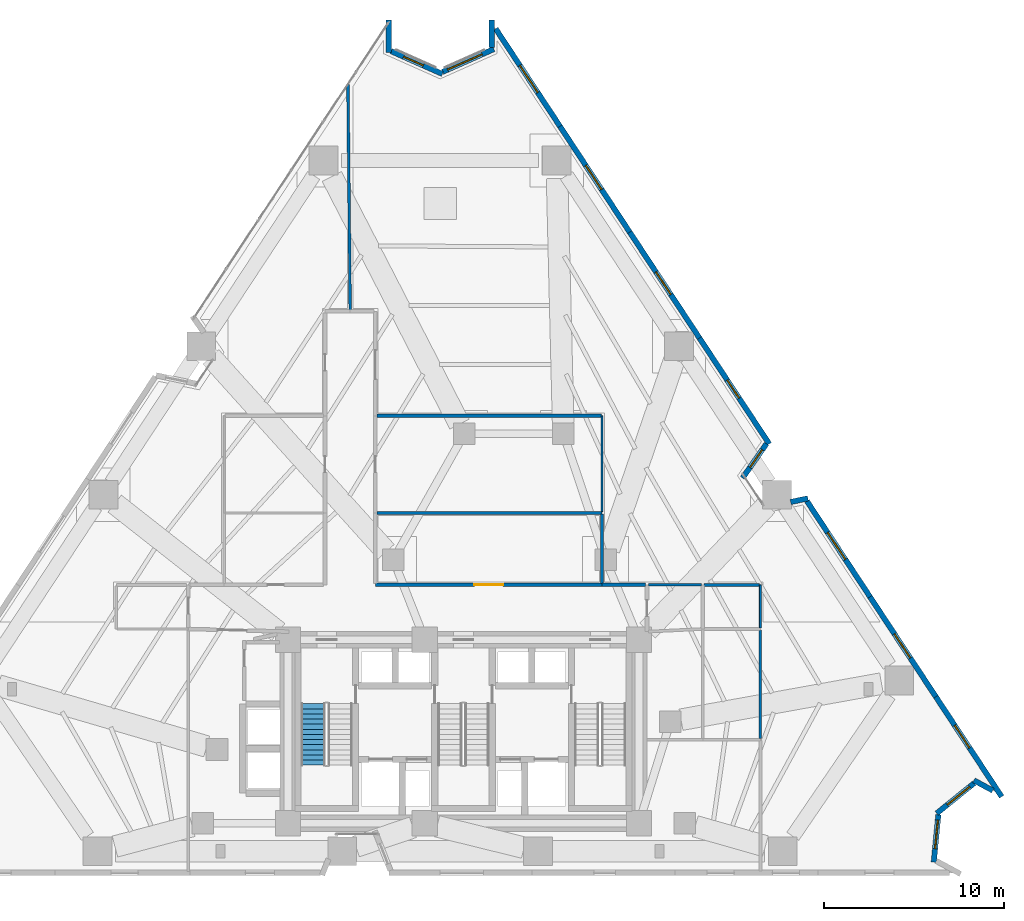
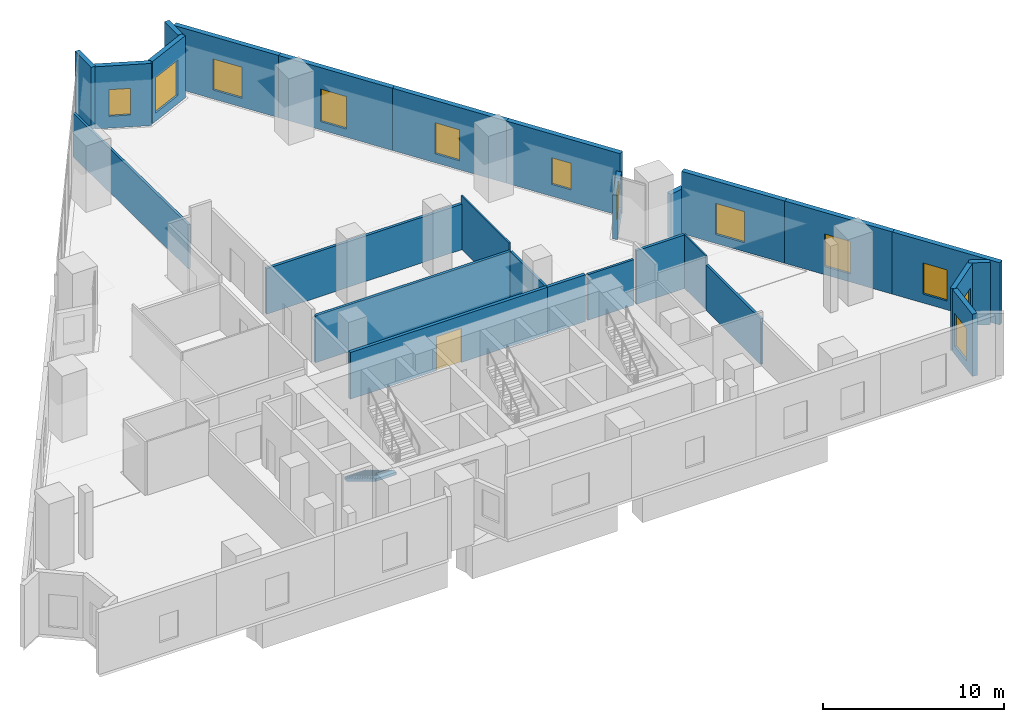
# One storey, part 10 of 15: 27 walls, 12 windows, 1 door, 1 stair flight, 13 openings, 1 element without a shape of its own.
"""IFC4 building model written with IfcOpenShell, lengths in metres."""

from ifc_helpers import new_model, si_unit, direction, frame, frame_2d, origin, place, context, subcontext, project, spatial, polyline, rectangle, outline, extrude, material, layer, layer_set, type_object, element, fill, aggregate, save


model = new_model("IFC4")

# Units and contexts
model_context = context("Model", 3, precision=1e-05, world=origin(), true_north=direction((0.0, 1.0)))
body_context = subcontext(model_context, "Body", "Model", "MODEL_VIEW")
ifc_project = project(units=[si_unit("LENGTHUNIT", "METRE"), si_unit("AREAUNIT", "SQUARE_METRE"), si_unit("VOLUMEUNIT", "CUBIC_METRE"), si_unit("PLANEANGLEUNIT", "RADIAN"), si_unit("MASSUNIT", "GRAM", prefix="KILO")], contexts=[model_context])

# Site, building, storey
site_placement = place(None, origin())
site = spatial("IfcSite", under=ifc_project, at=site_placement, CompositionType="ELEMENT")
building_placement = place(site_placement, origin())
building = spatial("IfcBuilding", under=site, at=building_placement, Name="Almagre Mirador Tower", CompositionType="ELEMENT")
storey_placement = place(building_placement, frame((0.0, 0.0, 8.39990234375)))
storey = spatial("IfcBuildingStorey", under=building, at=storey_placement, Name="L01", CompositionType="ELEMENT", Elevation=8.39990234375)

# Wall
ifc_material_1 = material(Name="Precast concrete C50/60", Category="concrete")
ifc_layer_1 = layer(ifc_material_1, 0.300048828125)
ifc_layer_set_1 = layer_set([ifc_layer_1], Name="Precast concrete C50/60")
wall_type_1 = type_object("IfcWallType", Name="WAL-EXT-300", PredefinedType="SOLIDWALL", material=ifc_layer_set_1)
wall_1_placement = place(storey_placement, frame((33.138916015625, 49.197998046875, 0.0), z_axis=(0.0, 0.0, 1.0), x_axis=(0.0, -1.0, 0.0)))
element("IfcWall", 1, at=wall_1_placement, inside=storey, type_object=wall_type_1, Name="L01 expressed almagre precast frame wall 03", PredefinedType="SOLIDWALL", context=body_context, shape_type="SweptSolid", body=[
    extrude(rectangle(XDim=1.81005859375, YDim=0.300048828125, at=frame_2d((0.905029296875, 0.0))), origin(), (0.0, 0.0, 1.0), 4.2001953125),
])

# Wall, opening, window
wall_2_placement = place(storey_placement, frame((33.26708984375, 47.47119140625, 0.0), z_axis=(0.0, 0.0, 1.0), x_axis=(0.913753658291, -0.40626869429, 0.0)))
wall_2 = element("IfcWall", 2, at=wall_2_placement, inside=storey, type_object=wall_type_1, Name="L01 expressed almagre precast frame wall 04", PredefinedType="SOLIDWALL", context=body_context, shape_type="SweptSolid", body=[
    extrude(rectangle(XDim=3.130859375, YDim=0.300048828125, at=frame_2d((1.5654296875, 0.0))), origin(), (0.0, 0.0, 1.0), 4.2001953125),
])
opening_1_placement = place(wall_2_placement, frame((0.77001953125, 0.0, 0.800048828125)))
opening_1 = element("IfcOpeningElement", 3, at=opening_1_placement, cuts=wall_2, Name="Opening WN-04", PredefinedType="OPENING", context=body_context, shape_type="SweptSolid", body=[
    extrude(rectangle(XDim=1.199951171875, YDim=1.800048828125, at=frame_2d((0.60009765625, 0.89990234375))), frame((0.0, 0.159902, 0.0), z_axis=(0.0, -1.0, 0.0), x_axis=(1.0, 0.0, 0.0)), (0.0, 0.0, 1.0), 0.320049),
])
ifc_material_2 = material(Name="Dark solar-control laminated hurricane glass", Category="glass")
window_type_1 = type_object("IfcWindowType", Name="WIN-1200X1800", PartitioningType="SINGLE_PANEL", PredefinedType="WINDOW", material=ifc_material_2)
window_1_placement = place(opening_1_placement, origin())
window_1 = element("IfcWindow", 4, at=window_1_placement, inside=storey, type_object=window_type_1, Name="L01 recessed hurricane window L01-GAL2-11", OverallHeight=1.800048828125, OverallWidth=1.199951171875, PartitioningType="SINGLE_PANEL", PredefinedType="WINDOW", context=body_context, shape_type="SweptSolid", body=[
    extrude(rectangle(XDim=1.199951171875, YDim=1.800048828125, at=frame_2d((0.60009765625, 0.89990234375))), frame((0.0, 0.030029296875, 0.0), z_axis=(0.0, -1.0, 0.0), x_axis=(1.0, 0.0, 0.0)), (0.0, 0.0, 1.0), 0.06005859375),
])
fill(opening_1, window_1)

wall_3_placement = place(storey_placement, frame((36.13720703125, 46.31689453125, 0.0), z_axis=(0.0, 0.0, 1.0), x_axis=(0.913740568099, 0.406298134638, 0.0)))
wall_3 = element("IfcWall", 5, at=wall_3_placement, inside=storey, type_object=wall_type_1, Name="L01 expressed almagre precast frame wall 05", PredefinedType="SOLIDWALL", context=body_context, shape_type="SweptSolid", body=[
    extrude(rectangle(XDim=3.12109375, YDim=0.300048828125, at=frame_2d((1.560546875, 0.0))), origin(), (0.0, 0.0, 1.0), 4.2001953125),
])
opening_2_placement = place(wall_3_placement, frame((0.31005859375, 0.0, 0.550048828125)))
opening_2 = element("IfcOpeningElement", 6, at=opening_2_placement, cuts=wall_3, Name="Opening WN-05", PredefinedType="OPENING", context=body_context, shape_type="SweptSolid", body=[
    extrude(rectangle(XDim=2.10009765625, YDim=2.39990234375, at=frame_2d((1.050048828125, 1.199951171875))), frame((0.0, 0.159902, 0.0), z_axis=(0.0, -1.0, 0.0), x_axis=(1.0, 0.0, 0.0)), (0.0, 0.0, 1.0), 0.320049),
])
ifc_material_3 = material(Name="Dark solar-control laminated hurricane glass", Category="glass")
window_type_2 = type_object("IfcWindowType", Name="WIN-2100X2400", PartitioningType="DOUBLE_PANEL_VERTICAL", PredefinedType="WINDOW", material=ifc_material_3)
window_2_placement = place(opening_2_placement, origin())
window_2 = element("IfcWindow", 7, at=window_2_placement, inside=storey, type_object=window_type_2, Name="L01 recessed hurricane window L01-GAL2-11", OverallHeight=2.39990234375, OverallWidth=2.10009765625, PartitioningType="SINGLE_PANEL", PredefinedType="WINDOW", context=body_context, shape_type="SweptSolid", body=[
    extrude(rectangle(XDim=2.10009765625, YDim=2.39990234375, at=frame_2d((1.050048828125, 1.199951171875))), frame((0.0, 0.030029296875, 0.0), z_axis=(0.0, -1.0, 0.0), x_axis=(1.0, 0.0, 0.0)), (0.0, 0.0, 1.0), 0.06005859375),
])
fill(opening_2, window_2)

# Wall
wall_4_placement = place(storey_placement, frame((38.861083984375, 47.673095703125, 0.0), z_axis=(0.0, 0.0, 1.0), x_axis=(0.0, 1.0, 0.0)))
element("IfcWall", 8, at=wall_4_placement, inside=storey, type_object=wall_type_1, Name="L01 expressed almagre precast frame wall 06", PredefinedType="SOLIDWALL", context=body_context, shape_type="SweptSolid", body=[
    extrude(rectangle(XDim=1.52490234375, YDim=0.300048828125, at=frame_2d((0.762451171875, 0.0))), origin(), (0.0, 0.0, 1.0), 4.2001953125),
])

# Wall, opening, window
wall_5_placement = place(storey_placement, frame((39.08935546875, 48.71142578125, 0.0), z_axis=(0.0, 0.0, 1.0), x_axis=(0.550231731476, -0.835012000918, 0.0)))
wall_5 = element("IfcWall", 9, at=wall_5_placement, inside=storey, type_object=wall_type_1, Name="L01 expressed almagre precast frame wall 07", PredefinedType="SOLIDWALL", context=body_context, shape_type="SweptSolid", body=[
    extrude(rectangle(XDim=6.4921875, YDim=0.300048828125, at=frame_2d((3.24609375, 0.0))), origin(), (0.0, 0.0, 1.0), 4.2001953125),
])
opening_3_placement = place(wall_5_placement, frame((2.445068359375, 0.0, 0.60009765625)))
opening_3 = element("IfcOpeningElement", 10, at=opening_3_placement, cuts=wall_5, Name="Opening WN-01", PredefinedType="OPENING", context=body_context, shape_type="SweptSolid", body=[
    extrude(rectangle(XDim=1.800048828125, YDim=2.10009765625, at=frame_2d((0.89990234375, 1.050048828125))), frame((0.0, 0.159902, 0.0), z_axis=(0.0, -1.0, 0.0), x_axis=(1.0, 0.0, 0.0)), (0.0, 0.0, 1.0), 0.320049),
])
ifc_material_4 = material(Name="Dark solar-control laminated hurricane glass", Category="glass")
window_type_3 = type_object("IfcWindowType", Name="WIN-1800X2100", PartitioningType="DOUBLE_PANEL_VERTICAL", PredefinedType="WINDOW", material=ifc_material_4)
window_3_placement = place(opening_3_placement, origin())
window_3 = element("IfcWindow", 11, at=window_3_placement, inside=storey, type_object=window_type_3, Name="L01 recessed hurricane window L01-GAL2-11", OverallHeight=2.10009765625, OverallWidth=1.800048828125, PartitioningType="SINGLE_PANEL", PredefinedType="WINDOW", context=body_context, shape_type="SweptSolid", body=[
    extrude(rectangle(XDim=1.800048828125, YDim=2.10009765625, at=frame_2d((0.89990234375, 1.050048828125))), frame((0.0, 0.030029296875, 0.0), z_axis=(0.0, -1.0, 0.0), x_axis=(1.0, 0.0, 0.0)), (0.0, 0.0, 1.0), 0.06005859375),
])
fill(opening_3, window_3)

wall_6_placement = place(storey_placement, frame((42.66162109375, 43.290283203125, 0.0), z_axis=(0.0, 0.0, 1.0), x_axis=(0.550199186231, -0.83503344572, 0.0)))
wall_6 = element("IfcWall", 12, at=wall_6_placement, inside=storey, type_object=wall_type_1, Name="L01 expressed almagre precast frame wall 08", PredefinedType="SOLIDWALL", context=body_context, shape_type="SweptSolid", body=[
    extrude(rectangle(XDim=7.04736328125, YDim=0.300048828125, at=frame_2d((3.523681640625, 0.0))), origin(), (0.0, 0.0, 1.0), 4.2001953125),
])
opening_4_placement = place(wall_6_placement, frame((2.60009765625, 0.0, 0.550048828125)))
opening_4 = element("IfcOpeningElement", 13, at=opening_4_placement, cuts=wall_6, Name="Opening WN-06", PredefinedType="OPENING", context=body_context, shape_type="SweptSolid", body=[
    extrude(rectangle(XDim=1.60009765625, YDim=2.199951171875, at=frame_2d((0.800048828125, 1.10009765625))), frame((0.0, 0.159902, 0.0), z_axis=(0.0, -1.0, 0.0), x_axis=(1.0, 0.0, 0.0)), (0.0, 0.0, 1.0), 0.320049),
])
ifc_material_5 = material(Name="Dark solar-control laminated hurricane glass", Category="glass")
window_type_4 = type_object("IfcWindowType", Name="WIN-1600X2200", PartitioningType="DOUBLE_PANEL_VERTICAL", PredefinedType="WINDOW", material=ifc_material_5)
window_4_placement = place(opening_4_placement, origin())
window_4 = element("IfcWindow", 14, at=window_4_placement, inside=storey, type_object=window_type_4, Name="L01 recessed hurricane window L01-GAL2-11", OverallHeight=2.199951171875, OverallWidth=1.60009765625, PartitioningType="SINGLE_PANEL", PredefinedType="WINDOW", context=body_context, shape_type="SweptSolid", body=[
    extrude(rectangle(XDim=1.60009765625, YDim=2.199951171875, at=frame_2d((0.800048828125, 1.10009765625))), frame((0.0, 0.030029296875, 0.0), z_axis=(0.0, -1.0, 0.0), x_axis=(1.0, 0.0, 0.0)), (0.0, 0.0, 1.0), 0.06005859375),
])
fill(opening_4, window_4)

wall_7_placement = place(storey_placement, frame((46.5390625, 37.405517578125, 0.0), z_axis=(0.0, 0.0, 1.0), x_axis=(0.550199186231, -0.83503344572, 0.0)))
wall_7 = element("IfcWall", 15, at=wall_7_placement, inside=storey, type_object=wall_type_1, Name="L01 expressed almagre precast frame wall 09", PredefinedType="SOLIDWALL", context=body_context, shape_type="SweptSolid", body=[
    extrude(rectangle(XDim=7.04736328125, YDim=0.300048828125, at=frame_2d((3.523681640625, 0.0))), origin(), (0.0, 0.0, 1.0), 4.2001953125),
])
opening_5_placement = place(wall_7_placement, frame((2.64990234375, 0.0, 0.60009765625)))
opening_5 = element("IfcOpeningElement", 16, at=opening_5_placement, cuts=wall_7, Name="Opening WN-03", PredefinedType="OPENING", context=body_context, shape_type="SweptSolid", body=[
    extrude(rectangle(XDim=1.5, YDim=2.10009765625, at=frame_2d((0.75, 1.050048828125))), frame((0.0, 0.159902, 0.0), z_axis=(0.0, -1.0, 0.0), x_axis=(1.0, 0.0, 0.0)), (0.0, 0.0, 1.0), 0.320049),
])
ifc_material_6 = material(Name="Dark solar-control laminated hurricane glass", Category="glass")
window_type_5 = type_object("IfcWindowType", Name="WIN-1500X2100", PartitioningType="DOUBLE_PANEL_VERTICAL", PredefinedType="WINDOW", material=ifc_material_6)
window_5_placement = place(opening_5_placement, origin())
window_5 = element("IfcWindow", 17, at=window_5_placement, inside=storey, type_object=window_type_5, Name="L01 recessed hurricane window L01-GAL2-11", OverallHeight=2.10009765625, OverallWidth=1.5, PartitioningType="SINGLE_PANEL", PredefinedType="WINDOW", context=body_context, shape_type="SweptSolid", body=[
    extrude(rectangle(XDim=1.5, YDim=2.10009765625, at=frame_2d((0.75, 1.050048828125))), frame((0.0, 0.030029296875, 0.0), z_axis=(0.0, -1.0, 0.0), x_axis=(1.0, 0.0, 0.0)), (0.0, 0.0, 1.0), 0.06005859375),
])
fill(opening_5, window_5)

wall_8_placement = place(storey_placement, frame((50.41650390625, 31.520751953125, 0.0), z_axis=(0.0, 0.0, 1.0), x_axis=(0.550199186231, -0.83503344572, 0.0)))
wall_8 = element("IfcWall", 18, at=wall_8_placement, inside=storey, type_object=wall_type_1, Name="L01 expressed almagre precast frame wall 10", PredefinedType="SOLIDWALL", context=body_context, shape_type="SweptSolid", body=[
    extrude(rectangle(XDim=7.04736328125, YDim=0.300048828125, at=frame_2d((3.523681640625, 0.0))), origin(), (0.0, 0.0, 1.0), 4.2001953125),
])
opening_6_placement = place(wall_8_placement, frame((2.800048828125, 0.0, 0.800048828125)))
opening_6 = element("IfcOpeningElement", 19, at=opening_6_placement, cuts=wall_8, Name="Opening WN-04", PredefinedType="OPENING", context=body_context, shape_type="SweptSolid", body=[
    extrude(rectangle(XDim=1.199951171875, YDim=1.800048828125, at=frame_2d((0.60009765625, 0.89990234375))), frame((0.0, 0.159902, 0.0), z_axis=(0.0, -1.0, 0.0), x_axis=(1.0, 0.0, 0.0)), (0.0, 0.0, 1.0), 0.320049),
])
window_6_placement = place(opening_6_placement, origin())
window_6 = element("IfcWindow", 20, at=window_6_placement, inside=storey, type_object=window_type_1, Name="L01 recessed hurricane window L01-GAL2-11", OverallHeight=1.800048828125, OverallWidth=1.199951171875, PartitioningType="SINGLE_PANEL", PredefinedType="WINDOW", context=body_context, shape_type="SweptSolid", body=[
    extrude(rectangle(XDim=1.199951171875, YDim=1.800048828125, at=frame_2d((0.60009765625, 0.89990234375))), frame((0.0, 0.030029296875, 0.0), z_axis=(0.0, -1.0, 0.0), x_axis=(1.0, 0.0, 0.0)), (0.0, 0.0, 1.0), 0.06005859375),
])
fill(opening_6, window_6)

wall_9_placement = place(storey_placement, frame((54.1396484375, 25.642333984375, 0.0), z_axis=(0.0, 0.0, 1.0), x_axis=(-0.572621210635, -0.819820071193, 0.0)))
wall_9 = element("IfcWall", 21, at=wall_9_placement, inside=storey, type_object=wall_type_1, Name="L01 expressed almagre precast frame wall 11", PredefinedType="SOLIDWALL", context=body_context, shape_type="SweptSolid", body=[
    extrude(rectangle(XDim=2.31884765625, YDim=0.300048828125, at=frame_2d((1.159423828125, 0.0))), origin(), (0.0, 0.0, 1.0), 2.97509765625),
])
opening_7_placement = place(wall_9_placement, frame((0.39990234375, 0.0, 0.800048828125)))
opening_7 = element("IfcOpeningElement", 22, at=opening_7_placement, cuts=wall_9, Name="Opening WN-04", PredefinedType="OPENING", context=body_context, shape_type="SweptSolid", body=[
    extrude(rectangle(XDim=1.199951171875, YDim=1.800048828125, at=frame_2d((0.60009765625, 0.89990234375))), frame((0.0, 0.159902, 0.0), z_axis=(0.0, -1.0, 0.0), x_axis=(1.0, 0.0, 0.0)), (0.0, 0.0, 1.0), 0.320049),
])
window_7_placement = place(opening_7_placement, origin())
window_7 = element("IfcWindow", 23, at=window_7_placement, inside=storey, type_object=window_type_1, Name="L01 recessed hurricane window L01-GAL2-11", OverallHeight=1.800048828125, OverallWidth=1.199951171875, PartitioningType="SINGLE_PANEL", PredefinedType="WINDOW", context=body_context, shape_type="SweptSolid", body=[
    extrude(rectangle(XDim=1.199951171875, YDim=1.800048828125, at=frame_2d((0.60009765625, 0.89990234375))), frame((0.0, 0.030029296875, 0.0), z_axis=(0.0, -1.0, 0.0), x_axis=(1.0, 0.0, 0.0)), (0.0, 0.0, 1.0), 0.06005859375),
])
fill(opening_7, window_7)

# Wall
wall_10_placement = place(storey_placement, frame((55.47998046875, 22.40869140625, 0.0), z_axis=(0.0, 0.0, 1.0), x_axis=(0.979253639734, 0.202638370175, 0.0)))
element("IfcWall", 24, at=wall_10_placement, inside=storey, type_object=wall_type_1, Name="L01 expressed almagre precast frame wall 12", PredefinedType="SOLIDWALL", context=body_context, shape_type="SweptSolid", body=[
    extrude(rectangle(XDim=0.985595703125, YDim=0.300048828125, at=frame_2d((0.49267578125, 0.0))), origin(), (0.0, 0.0, 1.0), 2.97509765625),
])

# Wall, opening, window
wall_11_placement = place(storey_placement, frame((56.385009765625, 22.463134765625, 0.0), z_axis=(0.0, 0.0, 1.0), x_axis=(0.550193822167, -0.835036980049, 0.0)))
wall_11 = element("IfcWall", 25, at=wall_11_placement, inside=storey, type_object=wall_type_1, Name="L01 expressed almagre precast frame wall 13", PredefinedType="SOLIDWALL", context=body_context, shape_type="SweptSolid", body=[
    extrude(rectangle(XDim=6.375244140625, YDim=0.300048828125, at=frame_2d((3.1875, 0.0))), origin(), (0.0, 0.0, 1.0), 4.2001953125),
])
opening_8_placement = place(wall_11_placement, frame((2.094970703125, 0.0, 0.60009765625)))
opening_8 = element("IfcOpeningElement", 26, at=opening_8_placement, cuts=wall_11, Name="Opening WN-01", PredefinedType="OPENING", context=body_context, shape_type="SweptSolid", body=[
    extrude(rectangle(XDim=1.800048828125, YDim=2.10009765625, at=frame_2d((0.89990234375, 1.050048828125))), frame((0.0, 0.159902, 0.0), z_axis=(0.0, -1.0, 0.0), x_axis=(1.0, 0.0, 0.0)), (0.0, 0.0, 1.0), 0.320049),
])
window_8_placement = place(opening_8_placement, origin())
window_8 = element("IfcWindow", 27, at=window_8_placement, inside=storey, type_object=window_type_3, Name="L01 recessed hurricane window L01-GAL2-11", OverallHeight=2.10009765625, OverallWidth=1.800048828125, PartitioningType="SINGLE_PANEL", PredefinedType="WINDOW", context=body_context, shape_type="SweptSolid", body=[
    extrude(rectangle(XDim=1.800048828125, YDim=2.10009765625, at=frame_2d((0.89990234375, 1.050048828125))), frame((0.0, 0.030029296875, 0.0), z_axis=(0.0, -1.0, 0.0), x_axis=(1.0, 0.0, 0.0)), (0.0, 0.0, 1.0), 0.06005859375),
])
fill(opening_8, window_8)

wall_12_placement = place(storey_placement, frame((59.892578125, 17.1396484375, 0.0), z_axis=(0.0, 0.0, 1.0), x_axis=(0.550205243724, -0.835029454438, 0.0)))
wall_12 = element("IfcWall", 28, at=wall_12_placement, inside=storey, type_object=wall_type_1, Name="L01 expressed almagre precast frame wall 14", PredefinedType="SOLIDWALL", context=body_context, shape_type="SweptSolid", body=[
    extrude(rectangle(XDim=6.655029296875, YDim=0.300048828125, at=frame_2d((3.32763671875, 0.0))), origin(), (0.0, 0.0, 1.0), 4.2001953125),
])
opening_9_placement = place(wall_12_placement, frame((2.47509765625, 0.0, 0.550048828125)))
opening_9 = element("IfcOpeningElement", 29, at=opening_9_placement, cuts=wall_12, Name="Opening WN-06", PredefinedType="OPENING", context=body_context, shape_type="SweptSolid", body=[
    extrude(rectangle(XDim=1.60009765625, YDim=2.199951171875, at=frame_2d((0.800048828125, 1.10009765625))), frame((0.0, 0.159902, 0.0), z_axis=(0.0, -1.0, 0.0), x_axis=(1.0, 0.0, 0.0)), (0.0, 0.0, 1.0), 0.320049),
])
window_9_placement = place(opening_9_placement, origin())
window_9 = element("IfcWindow", 30, at=window_9_placement, inside=storey, type_object=window_type_4, Name="L01 recessed hurricane window L01-GAL2-11", OverallHeight=2.199951171875, OverallWidth=1.60009765625, PartitioningType="SINGLE_PANEL", PredefinedType="WINDOW", context=body_context, shape_type="SweptSolid", body=[
    extrude(rectangle(XDim=1.60009765625, YDim=2.199951171875, at=frame_2d((0.800048828125, 1.10009765625))), frame((0.0, 0.030029296875, 0.0), z_axis=(0.0, -1.0, 0.0), x_axis=(1.0, 0.0, 0.0)), (0.0, 0.0, 1.0), 0.06005859375),
])
fill(opening_9, window_9)

wall_13_placement = place(storey_placement, frame((63.55419921875, 11.58251953125, 0.0), z_axis=(0.0, 0.0, 1.0), x_axis=(0.550213968344, -0.835023705675, 0.0)))
wall_13 = element("IfcWall", 31, at=wall_13_placement, inside=storey, type_object=wall_type_1, Name="L01 expressed almagre precast frame wall 15", PredefinedType="SOLIDWALL", context=body_context, shape_type="SweptSolid", body=[
    extrude(rectangle(XDim=6.6552734375, YDim=0.300048828125, at=frame_2d((3.32763671875, 0.0))), origin(), (0.0, 0.0, 1.0), 4.2001953125),
])
opening_10_placement = place(wall_13_placement, frame((1.89990234375, 0.0, 0.60009765625)))
opening_10 = element("IfcOpeningElement", 32, at=opening_10_placement, cuts=wall_13, Name="Opening WN-03", PredefinedType="OPENING", context=body_context, shape_type="SweptSolid", body=[
    extrude(rectangle(XDim=1.5, YDim=2.10009765625, at=frame_2d((0.75, 1.050048828125))), frame((0.0, 0.159902, 0.0), z_axis=(0.0, -1.0, 0.0), x_axis=(1.0, 0.0, 0.0)), (0.0, 0.0, 1.0), 0.320049),
])
window_10_placement = place(opening_10_placement, origin())
window_10 = element("IfcWindow", 33, at=window_10_placement, inside=storey, type_object=window_type_5, Name="L01 recessed hurricane window L01-GAL2-11", OverallHeight=2.10009765625, OverallWidth=1.5, PartitioningType="SINGLE_PANEL", PredefinedType="WINDOW", context=body_context, shape_type="SweptSolid", body=[
    extrude(rectangle(XDim=1.5, YDim=2.10009765625, at=frame_2d((0.75, 1.050048828125))), frame((0.0, 0.030029296875, 0.0), z_axis=(0.0, -1.0, 0.0), x_axis=(1.0, 0.0, 0.0)), (0.0, 0.0, 1.0), 0.06005859375),
])
fill(opening_10, window_10)

# Wall
wall_14_placement = place(storey_placement, frame((66.720703125, 6.367431640625, 0.0), z_axis=(0.0, 0.0, 1.0), x_axis=(-0.880320174686, 0.474380005946, 0.0)))
element("IfcWall", 34, at=wall_14_placement, inside=storey, type_object=wall_type_1, Name="L01 expressed almagre precast frame wall 16", PredefinedType="SOLIDWALL", context=body_context, shape_type="SweptSolid", body=[
    extrude(rectangle(XDim=1.195068359375, YDim=0.300048828125, at=frame_2d((0.59765625, 0.0))), origin(), (0.0, 0.0, 1.0), 4.2001953125),
])

# Wall, opening, window
wall_15_placement = place(storey_placement, frame((65.68310546875, 6.780029296875, 0.0), z_axis=(0.0, 0.0, 1.0), x_axis=(-0.778253340515, -0.62795042637, 0.0)))
wall_15 = element("IfcWall", 35, at=wall_15_placement, inside=storey, type_object=wall_type_1, Name="L01 expressed almagre precast frame wall 17", PredefinedType="SOLIDWALL", context=body_context, shape_type="SweptSolid", body=[
    extrude(rectangle(XDim=2.67529296875, YDim=0.300048828125, at=frame_2d((1.337646484375, 0.0))), origin(), (0.0, 0.0, 1.0), 4.2001953125),
])
opening_11_placement = place(wall_15_placement, frame((0.320068359375, 0.0, 0.550048828125)))
opening_11 = element("IfcOpeningElement", 36, at=opening_11_placement, cuts=wall_15, Name="Opening WN-06", PredefinedType="OPENING", context=body_context, shape_type="SweptSolid", body=[
    extrude(rectangle(XDim=1.60009765625, YDim=2.199951171875, at=frame_2d((0.800048828125, 1.10009765625))), frame((0.0, 0.159902, 0.0), z_axis=(0.0, -1.0, 0.0), x_axis=(1.0, 0.0, 0.0)), (0.0, 0.0, 1.0), 0.320049),
])
window_11_placement = place(opening_11_placement, origin())
window_11 = element("IfcWindow", 37, at=window_11_placement, inside=storey, type_object=window_type_4, Name="L01 recessed hurricane window L01-GAL2-11", OverallHeight=2.199951171875, OverallWidth=1.60009765625, PartitioningType="SINGLE_PANEL", PredefinedType="WINDOW", context=body_context, shape_type="SweptSolid", body=[
    extrude(rectangle(XDim=1.60009765625, YDim=2.199951171875, at=frame_2d((0.800048828125, 1.10009765625))), frame((0.0, 0.030029296875, 0.0), z_axis=(0.0, -1.0, 0.0), x_axis=(1.0, 0.0, 0.0)), (0.0, 0.0, 1.0), 0.06005859375),
])
fill(opening_11, window_11)

wall_16_placement = place(storey_placement, frame((63.695068359375, 5.03369140625, 0.0), z_axis=(0.0, 0.0, 1.0), x_axis=(-0.096121744624, -0.995369584732, 0.0)))
wall_16 = element("IfcWall", 38, at=wall_16_placement, inside=storey, type_object=wall_type_1, Name="L01 expressed almagre precast frame wall 18", PredefinedType="SOLIDWALL", context=body_context, shape_type="SweptSolid", body=[
    extrude(rectangle(XDim=2.6591796875, YDim=0.300048828125, at=frame_2d((1.32958984375, 0.0))), origin(), (0.0, 0.0, 1.0), 4.2001953125),
])
opening_12_placement = place(wall_16_placement, frame((0.304931640625, 0.0, 0.550048828125)))
opening_12 = element("IfcOpeningElement", 39, at=opening_12_placement, cuts=wall_16, Name="Opening WN-06", PredefinedType="OPENING", context=body_context, shape_type="SweptSolid", body=[
    extrude(rectangle(XDim=1.60009765625, YDim=2.199951171875, at=frame_2d((0.800048828125, 1.10009765625))), frame((0.0, 0.159902, 0.0), z_axis=(0.0, -1.0, 0.0), x_axis=(1.0, 0.0, 0.0)), (0.0, 0.0, 1.0), 0.320049),
])
window_12_placement = place(opening_12_placement, origin())
window_12 = element("IfcWindow", 40, at=window_12_placement, inside=storey, type_object=window_type_4, Name="L01 recessed hurricane window L01-GAL2-11", OverallHeight=2.199951171875, OverallWidth=1.60009765625, PartitioningType="SINGLE_PANEL", PredefinedType="WINDOW", context=body_context, shape_type="SweptSolid", body=[
    extrude(rectangle(XDim=1.60009765625, YDim=2.199951171875, at=frame_2d((0.800048828125, 1.10009765625))), frame((0.0, 0.030029296875, 0.0), z_axis=(0.0, -1.0, 0.0), x_axis=(1.0, 0.0, 0.0)), (0.0, 0.0, 1.0), 0.06005859375),
])
fill(opening_12, window_12)

# Walls
ifc_material_7 = material(Name="Gypsum acoustic stud partition", Category="other")
ifc_layer_2 = layer(ifc_material_7, 0.10009765625)
ifc_layer_set_2 = layer_set([ifc_layer_2], Name="Gypsum acoustic stud partition")
wall_type_2 = type_object("IfcWallType", Name="WAL-PRT-100-CLS", PredefinedType="PARTITIONING", material=ifc_layer_set_2)
wall_17_placement = place(storey_placement, frame((53.800048828125, 15.409912109375, 0.0), z_axis=(0.0, 0.0, 1.0), x_axis=(0.0, 1.0, 0.0)))
element("IfcWall", 41, at=wall_17_placement, inside=storey, type_object=wall_type_2, Name="L01 interior partition 029", PredefinedType="PARTITIONING", context=body_context, shape_type="SweptSolid", body=[
    extrude(rectangle(XDim=2.39013671875, YDim=0.10009765625, at=frame_2d((1.195068359375, 0.0))), origin(), (0.0, 0.0, 1.0), 3.62109375),
])
wall_18_placement = place(storey_placement, frame((45.0, 21.87255859375, 0.0), z_axis=(0.0, 0.0, 1.0), x_axis=(0.0, 1.0, 0.0)))
element("IfcWall", 42, at=wall_18_placement, inside=storey, type_object=wall_type_2, Name="L01 interior partition 038", PredefinedType="PARTITIONING", context=body_context, shape_type="SweptSolid", body=[
    extrude(rectangle(XDim=5.327392578125, YDim=0.10009765625, at=frame_2d((2.66357421875, 0.0))), origin(), (0.0, 0.0, 1.0), 3.62109375),
])
ifc_material_8 = material(Name="Gypsum acoustic stud partition", Category="other")
ifc_layer_3 = layer(ifc_material_8, 0.14990234375)
ifc_layer_set_3 = layer_set([ifc_layer_3], Name="Gypsum acoustic stud partition")
wall_type_3 = type_object("IfcWallType", Name="WAL-PRT-150-STD", PredefinedType="PARTITIONING", material=ifc_layer_set_3)
wall_19_placement = place(storey_placement, frame((53.800048828125, 9.260009765625, 0.0), z_axis=(0.0, 0.0, 1.0), x_axis=(0.0, 1.0, 0.0)))
element("IfcWall", 43, at=wall_19_placement, inside=storey, type_object=wall_type_3, Name="L01 interior partition 023", PredefinedType="PARTITIONING", context=body_context, shape_type="SweptSolid", body=[
    extrude(rectangle(XDim=6.030029296875, YDim=0.14990234375, at=frame_2d((3.01513671875, 0.0))), origin(), (0.0, 0.0, 1.0), 3.078125),
])
wall_20_placement = place(storey_placement, frame((50.527587890625, 17.800048828125, 0.0), z_axis=(0.0, 0.0, 1.0), x_axis=(-1.0, 0.0, 0.0)))
element("IfcWall", 44, at=wall_20_placement, inside=storey, type_object=wall_type_3, Name="L01 interior partition 028", PredefinedType="PARTITIONING", context=body_context, shape_type="SweptSolid", body=[
    extrude(rectangle(XDim=2.942626953125, YDim=0.14990234375, at=frame_2d((1.47119140625, 0.0))), origin(), (0.0, 0.0, 1.0), 3.078125),
])
wall_21_placement = place(storey_placement, frame((30.999267578125, 33.0849609375, 0.0), z_axis=(0.0, 0.0, 1.0), x_axis=(-0.009911493182, 0.999950879945, 0.0)))
element("IfcWall", 45, at=wall_21_placement, inside=storey, type_object=wall_type_3, Name="L01 interior partition 034", PredefinedType="PARTITIONING", context=body_context, shape_type="SweptSolid", body=[
    extrude(rectangle(XDim=12.537841796875, YDim=0.14990234375, at=frame_2d((6.26904296875, 0.0))), origin(), (0.0, 0.0, 1.0), 2.97021484375),
])
wall_22_placement = place(storey_placement, frame((45.0, 17.885009765625, 0.0), z_axis=(0.0, 0.0, 1.0), x_axis=(0.0, 1.0, 0.0)))
element("IfcWall", 46, at=wall_22_placement, inside=storey, type_object=wall_type_3, Name="L01 interior partition 037", PredefinedType="PARTITIONING", context=body_context, shape_type="SweptSolid", body=[
    extrude(rectangle(XDim=3.842529296875, YDim=0.14990234375, at=frame_2d((1.92138671875, 0.0))), origin(), (0.0, 0.0, 1.0), 3.1591796875),
])
ifc_material_9 = material(Name="Gypsum acoustic stud partition", Category="other")
ifc_layer_4 = layer(ifc_material_9, 0.175048828125)
ifc_layer_set_4 = layer_set([ifc_layer_4], Name="Gypsum acoustic stud partition")
wall_type_4 = type_object("IfcWallType", Name="WAL-PRT-175-AC", PredefinedType="PARTITIONING", material=ifc_layer_set_4)
wall_23_placement = place(storey_placement, frame((53.764892578125, 17.800048828125, 0.0), z_axis=(0.0, 0.0, 1.0), x_axis=(-1.0, 0.0, 0.0)))
element("IfcWall", 47, at=wall_23_placement, inside=storey, type_object=wall_type_4, Name="L01 interior partition 030", PredefinedType="PARTITIONING", context=body_context, shape_type="SweptSolid", body=[
    extrude(rectangle(XDim=3.09228515625, YDim=0.175048828125, at=frame_2d((1.546142578125, 0.0))), origin(), (0.0, 0.0, 1.0), 3.62109375),
])
wall_24_placement = place(storey_placement, frame((45.0, 21.800048828125, 0.0), z_axis=(0.0, 0.0, 1.0), x_axis=(-1.0, 0.0, 0.0)))
element("IfcWall", 48, at=wall_24_placement, inside=storey, type_object=wall_type_4, Name="L01 interior partition 036", PredefinedType="PARTITIONING", context=body_context, shape_type="SweptSolid", body=[
    extrude(rectangle(XDim=12.514892578125, YDim=0.175048828125, at=frame_2d((6.25732421875, 0.0))), origin(), (0.0, 0.0, 1.0), 3.1591796875),
])
wall_25_placement = place(storey_placement, frame((44.965087890625, 27.199951171875, 0.0), z_axis=(0.0, 0.0, 1.0), x_axis=(-1.0, 0.0, 0.0)))
element("IfcWall", 49, at=wall_25_placement, inside=storey, type_object=wall_type_4, Name="L01 interior partition 039", PredefinedType="PARTITIONING", context=body_context, shape_type="SweptSolid", body=[
    extrude(rectangle(XDim=12.47998046875, YDim=0.175048828125, at=frame_2d((6.239990234375, 0.0))), origin(), (0.0, 0.0, 1.0), 3.078125),
])

# Wall, opening, door
ifc_material_10 = material(Name="Gypsum acoustic stud partition", Category="other")
ifc_layer_5 = layer(ifc_material_10, 0.199951171875)
ifc_layer_set_5 = layer_set([ifc_layer_5], Name="Gypsum acoustic stud partition")
wall_type_5 = type_object("IfcWallType", Name="WAL-PRT-200-EI60", PredefinedType="PARTITIONING", material=ifc_layer_set_5)
wall_26_placement = place(storey_placement, frame((45.0, 17.800048828125, 0.0), z_axis=(0.0, 0.0, 1.0), x_axis=(-1.0, 0.0, 0.0)))
wall_26 = element("IfcWall", 50, at=wall_26_placement, inside=storey, type_object=wall_type_5, Name="L01 interior partition 009", PredefinedType="PARTITIONING", context=body_context, shape_type="SweptSolid", body=[
    extrude(rectangle(XDim=12.60009765625, YDim=0.199951171875, at=frame_2d((6.300048828125, 0.0))), origin(), (0.0, 0.0, 1.0), 3.1591796875),
])
opening_13_placement = place(wall_26_placement, frame((5.5, 0.0, 0.0)))
opening_13 = element("IfcOpeningElement", 51, at=opening_13_placement, cuts=wall_26, Name="Opening ID-05", PredefinedType="OPENING", context=body_context, shape_type="SweptSolid", body=[
    extrude(rectangle(XDim=1.60009765625, YDim=2.300048828125, at=frame_2d((0.800048828125, 1.14990234375))), frame((0.0, 0.110098, 0.0), z_axis=(0.0, -1.0, 0.0), x_axis=(1.0, 0.0, 0.0)), (0.0, 0.0, 1.0), 0.219951),
])
ifc_material_11 = material(Name="Fire-rated acoustic timber", Category="wood")
door_type = type_object("IfcDoorType", Name="DOR-FD60-1600X2300", OperationType="DOUBLE_DOOR_SINGLE_SWING", PredefinedType="DOOR", material=ifc_material_11)
door_placement = place(opening_13_placement, origin())
door = element("IfcDoor", 52, at=door_placement, inside=storey, type_object=door_type, Name="DR-0085 L01 interior door L01-COR to L01-GAL1-8", OperationType="DOUBLE_DOOR_SINGLE_SWING", OverallHeight=2.300048828125, OverallWidth=1.60009765625, PredefinedType="DOOR", context=body_context, shape_type="SweptSolid", body=[
    extrude(rectangle(XDim=1.60009765625, YDim=2.300048828125, at=frame_2d((0.800048828125, 1.14990234375))), frame((0.0, 0.02490234375, 0.0), z_axis=(0.0, -1.0, 0.0), x_axis=(1.0, 0.0, 0.0)), (0.0, 0.0, 1.0), 0.050048828125),
])
fill(opening_13, door)

# Wall
wall_27_placement = place(storey_placement, frame((47.4150390625, 17.800048828125, 0.0), z_axis=(0.0, 0.0, 1.0), x_axis=(-1.0, 0.0, 0.0)))
element("IfcWall", 53, at=wall_27_placement, inside=storey, type_object=wall_type_5, Name="L01 interior partition 015", PredefinedType="PARTITIONING", context=body_context, shape_type="SweptSolid", body=[
    extrude(rectangle(XDim=2.4150390625, YDim=0.199951171875, at=frame_2d((1.20751953125, 0.0))), origin(), (0.0, 0.0, 1.0), 3.1591796875),
])

# Stair, stair flight
ifc_material_12 = material(Name="Concrete C45/55", Category="concrete")
stair_type = type_object("IfcStairType", Name="STR-DL-4500", PredefinedType="HALF_TURN_STAIR", material=ifc_material_12)
stair_placement = place(storey_placement, origin())
stair = element("IfcStair", 54, at=stair_placement, inside=storey, type_object=stair_type, Name="L01 Protected exit stair ST-1", PredefinedType="HALF_TURN_STAIR")
ifc_material_13 = material(Name="Concrete C45/55", Category="concrete")
stair_flight_type = type_object("IfcStairFlightType", Name="FLT-DL-4500", PredefinedType="STRAIGHT", material=ifc_material_13)
stair_flight_placement = place(storey_placement, frame((28.949951171875, 11.199951171875, 0.0), z_axis=(0.0, 0.0, 1.0), x_axis=(0.0, -1.0, 0.0)))
stair_flight = element("IfcStairFlight", 55, at=stair_flight_placement, type_object=stair_flight_type, Name="ST-1 flight 1", NumberOfRisers=13, NumberOfTreads=12, PredefinedType="STRAIGHT", RiserHeight=0.173076923, TreadLength=0.285, context=body_context, shape_type="SweptSolid", body=[
    extrude(outline(polyline([(0.0, 0.0), (0.0, 0.173095703125), (0.284912109375, 0.173095703125), (0.284912109375, 0.34619140625), (0.570068359375, 0.34619140625), (0.570068359375, 0.519287109375), (0.85498046875, 0.519287109375), (0.85498046875, 0.6923828125), (1.139892578125, 0.6923828125), (1.139892578125, 0.865478515625), (1.425048828125, 0.865478515625), (1.425048828125, 1.03857421875), (1.7099609375, 1.03857421875), (1.7099609375, 1.21142578125), (1.9951171875, 1.21142578125), (1.9951171875, 1.384521484375), (2.280029296875, 1.384521484375), (2.280029296875, 1.5576171875), (2.56494140625, 1.5576171875), (2.56494140625, 1.730712890625), (2.85009765625, 1.730712890625), (2.85009765625, 1.90380859375), (3.135009765625, 1.90380859375), (3.135009765625, 2.076904296875), (3.419921875, 2.076904296875), (3.419921875, 2.25), (3.419921875, 1.901611328125), (0.288818359375, 0.0), (0.0, 0.0)])), frame((0.0, 0.675048828125, 0.0), z_axis=(0.0, -1.0, 0.0), x_axis=(1.0, 0.0, 0.0)), (0.0, 0.0, 1.0), 1.35009765625),
])
aggregate(stair, [stair_flight])

save(model, "model.ifc")
